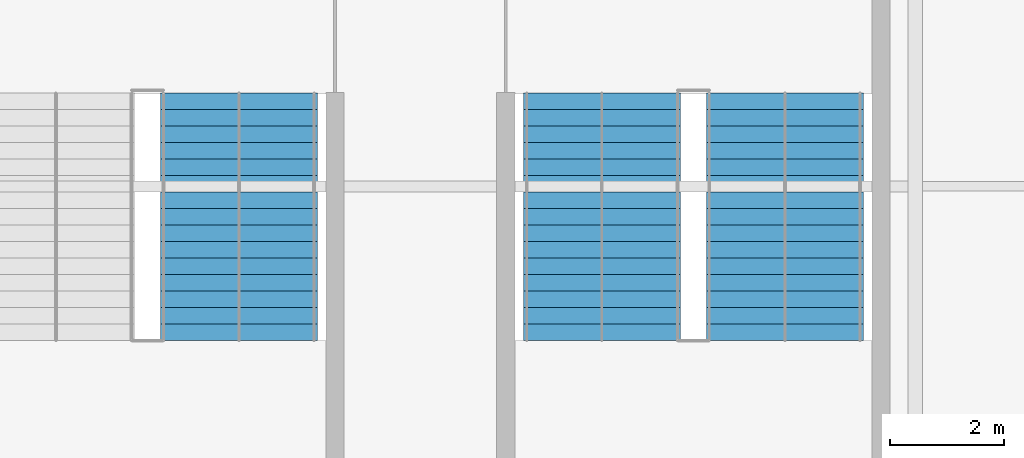
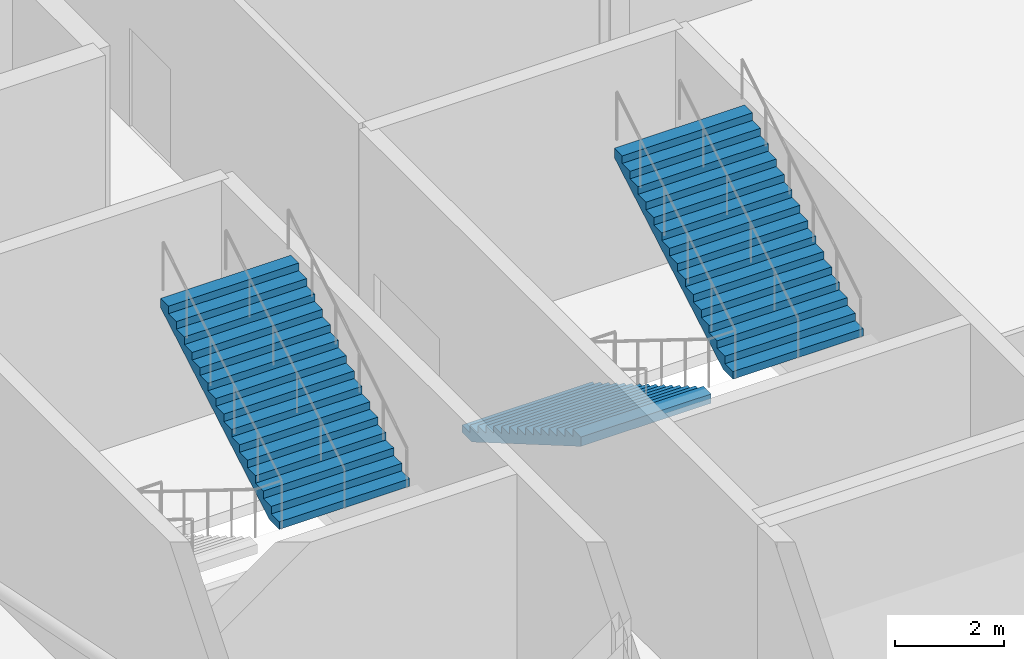
# One storey, part 86 of 111: 3 stair flights, 2 elements without a shape of their own.
"""IFC4 building model written with IfcOpenShell, lengths in metres."""

from ifc_helpers import new_model, si_unit, direction, frame, origin, place, context, subcontext, project, spatial, polygons, material, type_object, element, aggregate, save


model = new_model("IFC4")

# Units and contexts
model_context = context("Model", 3, precision=1e-05, world=origin(), true_north=direction((0.0, 1.0)))
body_context = subcontext(model_context, "Body", "Model", "MODEL_VIEW")
ifc_project = project(units=[si_unit("LENGTHUNIT", "METRE"), si_unit("AREAUNIT", "SQUARE_METRE"), si_unit("VOLUMEUNIT", "CUBIC_METRE"), si_unit("PLANEANGLEUNIT", "RADIAN"), si_unit("MASSUNIT", "GRAM", prefix="KILO")], contexts=[model_context])

# Site, building, storey
site_placement = place(None, origin())
site = spatial("IfcSite", under=ifc_project, at=site_placement, CompositionType="ELEMENT")
building_placement = place(site_placement, origin())
building = spatial("IfcBuilding", under=site, at=building_placement, Name="Kisiwana Market Hall", CompositionType="ELEMENT")
storey_placement = place(building_placement, frame((0.0, 0.0, 11.39990234375)))
storey = spatial("IfcBuildingStorey", under=building, at=storey_placement, Name="L02", CompositionType="ELEMENT", Elevation=11.39990234375)

# Stair, stair flight
ifc_material_1 = material(Name="Concrete C32/40", Category="concrete")
stair_type = type_object("IfcStairType", Name="ST-ESC-5400", PredefinedType="TWO_STRAIGHT_RUN_STAIR", material=ifc_material_1)
stair_1_placement = place(storey_placement, origin())
stair_1 = element("IfcStair", 1, at=stair_1_placement, inside=storey, type_object=stair_type, Name="Escape stair ST-W4-L02", PredefinedType="TWO_STRAIGHT_RUN_STAIR")
ifc_material_2 = material(Name="Concrete C32/40", Category="concrete")
stair_flight_type = type_object("IfcStairFlightType", Name="SF-ESC-5400", PredefinedType="STRAIGHT", material=ifc_material_2)
stair_flight_1_placement = place(storey_placement, frame((15.110107421875, 73.2900390625, 2.7001953125), z_axis=(0.0, 0.0, 1.0), x_axis=(0.0, 1.0, 0.0)))
stair_flight_1 = element("IfcStairFlight", 2, at=stair_flight_1_placement, type_object=stair_flight_type, Name="ST-W4-L02 flight 2", NumberOfRisers=16, NumberOfTreads=15, PredefinedType="STRAIGHT", RiserHeight=0.16875, TreadLength=0.29, context=body_context, shape_type="Tessellation", body=[
    polygons([(0.0, -1.380127, 0.0), (0.0, -0.690125, 0.0), (0.0, -0.000122, 0.0), (0.0, 0.68988, 0.0), (0.0, 1.379883, 0.0), (0.0, -1.380127, 0.168701), (0.0, -0.690125, 0.168701), (0.0, -0.000122, 0.168701), (0.0, 0.68988, 0.168701), (0.0, 1.379883, 0.168701), (0.290039, -1.380127, 0.168701), (0.290039, -0.690125, 0.168701), (0.290039, -0.000122, 0.168701), (0.290039, 0.68988, 0.168701), (0.290039, 1.379883, 0.168701), (0.290039, -1.380127, 0.337402), (0.290039, -0.690125, 0.337402), (0.290039, -0.000122, 0.337402), (0.290039, 0.68988, 0.337402), (0.290039, 1.379883, 0.337402), (0.580078, -1.380127, 0.337402), (0.580078, -0.690125, 0.337402), (0.580078, -0.000122, 0.337402), (0.580078, 0.68988, 0.337402), (0.580078, 1.379883, 0.337402), (0.580078, -1.380127, 0.506348), (0.580078, -0.690125, 0.506348), (0.580078, -0.000122, 0.506348), (0.580078, 0.68988, 0.506348), (0.580078, 1.379883, 0.506348), (0.870117, -1.380127, 0.506348), (0.870117, -0.690125, 0.506348), (0.870117, -0.000122, 0.506348), (0.870117, 0.68988, 0.506348), (0.870117, 1.379883, 0.506348), (0.870117, -1.380127, 0.675049), (0.870117, -0.690125, 0.675049), (0.870117, -0.000122, 0.675049), (0.870117, 0.68988, 0.675049), (0.870117, 1.379883, 0.675049), (1.159912, -1.380127, 0.675049), (1.159912, -0.690125, 0.675049), (1.159912, -0.000122, 0.675049), (1.159912, 0.68988, 0.675049), (1.159912, 1.379883, 0.675049), (1.159912, -1.380127, 0.84375), (1.159912, -0.690125, 0.84375), (1.159912, -0.000122, 0.84375), (1.159912, 0.68988, 0.84375), (1.159912, 1.379883, 0.84375), (1.449951, -1.380127, 0.84375), (1.449951, -0.690125, 0.84375), (1.449951, -0.000122, 0.84375), (1.449951, 0.68988, 0.84375), (1.449951, 1.379883, 0.84375), (1.449951, -1.380127, 1.012451), (1.449951, -0.690125, 1.012451), (1.449951, -0.000122, 1.012451), (1.449951, 0.68988, 1.012451), (1.449951, 1.379883, 1.012451), (1.73999, -1.380127, 1.012451), (1.73999, -0.690125, 1.012451), (1.73999, -0.000122, 1.012451), (1.73999, 0.68988, 1.012451), (1.73999, 1.379883, 1.012451), (1.73999, -1.380127, 1.181152), (1.73999, -0.690125, 1.181152), (1.73999, -0.000122, 1.181152), (1.73999, 0.68988, 1.181152), (1.73999, 1.379883, 1.181152), (2.030029, -1.380127, 1.181152), (2.030029, -0.690125, 1.181152), (2.030029, -0.000122, 1.181152), (2.030029, 0.68988, 1.181152), (2.030029, 1.379883, 1.181152), (2.030029, -1.380127, 1.350098), (2.030029, -0.690125, 1.350098), (2.030029, -0.000122, 1.350098), (2.030029, 0.68988, 1.350098), (2.030029, 1.379883, 1.350098), (2.320068, -1.380127, 1.350098), (2.320068, -0.690125, 1.350098), (2.320068, -0.000122, 1.350098), (2.320068, 0.68988, 1.350098), (2.320068, 1.379883, 1.350098), (2.320068, -1.380127, 1.518799), (2.320068, -0.690125, 1.518799), (2.320068, -0.000122, 1.518799), (2.320068, 0.68988, 1.518799), (2.320068, 1.379883, 1.518799), (2.610107, -1.380127, 1.518799), (2.610107, -0.690125, 1.518799), (2.610107, -0.000122, 1.518799), (2.610107, 0.68988, 1.518799), (2.610107, 1.379883, 1.518799), (2.610107, -1.380127, 1.6875), (2.610107, -0.690125, 1.6875), (2.610107, -0.000122, 1.6875), (2.610107, 0.68988, 1.6875), (2.610107, 1.379883, 1.6875), (2.899902, -1.380127, 1.6875), (2.899902, -0.690125, 1.6875), (2.899902, -0.000122, 1.6875), (2.899902, 0.68988, 1.6875), (2.899902, 1.379883, 1.6875), (2.899902, -1.380127, 1.856201), (2.899902, -0.690125, 1.856201), (2.899902, -0.000122, 1.856201), (2.899902, 0.68988, 1.856201), (2.899902, 1.379883, 1.856201), (3.189941, -1.380127, 1.856201), (3.189941, -0.690125, 1.856201), (3.189941, -0.000122, 1.856201), (3.189941, 0.68988, 1.856201), (3.189941, 1.379883, 1.856201), (3.189941, -1.380127, 2.024902), (3.189941, -0.690125, 2.024902), (3.189941, -0.000122, 2.024902), (3.189941, 0.68988, 2.024902), (3.189941, 1.379883, 2.024902), (3.47998, -1.380127, 2.024902), (3.47998, -0.690125, 2.024902), (3.47998, -0.000122, 2.024902), (3.47998, 0.68988, 2.024902), (3.47998, 1.379883, 2.024902), (3.47998, -1.380127, 2.193848), (3.47998, -0.690125, 2.193848), (3.47998, -0.000122, 2.193848), (3.47998, 0.68988, 2.193848), (3.47998, 1.379883, 2.193848), (3.77002, -1.380127, 2.193848), (3.77002, -0.690125, 2.193848), (3.77002, -0.000122, 2.193848), (3.77002, 0.68988, 2.193848), (3.77002, 1.379883, 2.193848), (3.77002, -1.380127, 2.362549), (3.77002, -0.690125, 2.362549), (3.77002, -0.000122, 2.362549), (3.77002, 0.68988, 2.362549), (3.77002, 1.379883, 2.362549), (4.060059, -1.380127, 2.362549), (4.060059, -0.690125, 2.362549), (4.060059, -0.000122, 2.362549), (4.060059, 0.68988, 2.362549), (4.060059, 1.379883, 2.362549), (4.060059, -1.380127, 2.53125), (4.060059, -0.690125, 2.53125), (4.060059, -0.000122, 2.53125), (4.060059, 0.68988, 2.53125), (4.060059, 1.379883, 2.53125), (4.350098, -1.380127, 2.53125), (4.350098, -0.690125, 2.53125), (4.350098, -0.000122, 2.53125), (4.350098, 0.68988, 2.53125), (4.350098, 1.379883, 2.53125), (4.350098, -1.380127, 2.322998), (4.350098, -0.690125, 2.322998), (4.350098, -0.000122, 2.322998), (4.350098, 0.68988, 2.322998), (4.350098, 1.379883, 2.322998), (0.357666, -1.380127, 0.0), (0.357666, -0.690125, 0.0), (0.357666, -0.000122, 0.0), (0.357666, 0.68988, 0.0), (0.357666, 1.379883, 0.0)], [[[1, 6, 7, 2]], [[2, 7, 8, 3]], [[3, 8, 9, 4]], [[4, 9, 10, 5]], [[6, 11, 12, 7]], [[7, 12, 13, 8]], [[8, 13, 14, 9]], [[9, 14, 15, 10]], [[11, 16, 17, 12]], [[12, 17, 18, 13]], [[13, 18, 19, 14]], [[14, 19, 20, 15]], [[16, 21, 22, 17]], [[17, 22, 23, 18]], [[18, 23, 24, 19]], [[19, 24, 25, 20]], [[21, 26, 27, 22]], [[22, 27, 28, 23]], [[23, 28, 29, 24]], [[24, 29, 30, 25]], [[26, 31, 32, 27]], [[27, 32, 33, 28]], [[28, 33, 34, 29]], [[29, 34, 35, 30]], [[31, 36, 37, 32]], [[32, 37, 38, 33]], [[33, 38, 39, 34]], [[34, 39, 40, 35]], [[36, 41, 42, 37]], [[37, 42, 43, 38]], [[38, 43, 44, 39]], [[39, 44, 45, 40]], [[41, 46, 47, 42]], [[42, 47, 48, 43]], [[43, 48, 49, 44]], [[44, 49, 50, 45]], [[46, 51, 52, 47]], [[47, 52, 53, 48]], [[48, 53, 54, 49]], [[49, 54, 55, 50]], [[51, 56, 57, 52]], [[52, 57, 58, 53]], [[53, 58, 59, 54]], [[54, 59, 60, 55]], [[56, 61, 62, 57]], [[57, 62, 63, 58]], [[58, 63, 64, 59]], [[59, 64, 65, 60]], [[61, 66, 67, 62]], [[62, 67, 68, 63]], [[63, 68, 69, 64]], [[64, 69, 70, 65]], [[66, 71, 72, 67]], [[67, 72, 73, 68]], [[68, 73, 74, 69]], [[69, 74, 75, 70]], [[71, 76, 77, 72]], [[72, 77, 78, 73]], [[73, 78, 79, 74]], [[74, 79, 80, 75]], [[76, 81, 82, 77]], [[77, 82, 83, 78]], [[78, 83, 84, 79]], [[79, 84, 85, 80]], [[81, 86, 87, 82]], [[82, 87, 88, 83]], [[83, 88, 89, 84]], [[84, 89, 90, 85]], [[86, 91, 92, 87]], [[87, 92, 93, 88]], [[88, 93, 94, 89]], [[89, 94, 95, 90]], [[91, 96, 97, 92]], [[92, 97, 98, 93]], [[93, 98, 99, 94]], [[94, 99, 100, 95]], [[96, 101, 102, 97]], [[97, 102, 103, 98]], [[98, 103, 104, 99]], [[99, 104, 105, 100]], [[101, 106, 107, 102]], [[102, 107, 108, 103]], [[103, 108, 109, 104]], [[104, 109, 110, 105]], [[106, 111, 112, 107]], [[107, 112, 113, 108]], [[108, 113, 114, 109]], [[109, 114, 115, 110]], [[111, 116, 117, 112]], [[112, 117, 118, 113]], [[113, 118, 119, 114]], [[114, 119, 120, 115]], [[116, 121, 122, 117]], [[117, 122, 123, 118]], [[118, 123, 124, 119]], [[119, 124, 125, 120]], [[121, 126, 127, 122]], [[122, 127, 128, 123]], [[123, 128, 129, 124]], [[124, 129, 130, 125]], [[126, 131, 132, 127]], [[127, 132, 133, 128]], [[128, 133, 134, 129]], [[129, 134, 135, 130]], [[131, 136, 137, 132]], [[132, 137, 138, 133]], [[133, 138, 139, 134]], [[134, 139, 140, 135]], [[136, 141, 142, 137]], [[137, 142, 143, 138]], [[138, 143, 144, 139]], [[139, 144, 145, 140]], [[141, 146, 147, 142]], [[142, 147, 148, 143]], [[143, 148, 149, 144]], [[144, 149, 150, 145]], [[146, 151, 152, 147]], [[147, 152, 153, 148]], [[148, 153, 154, 149]], [[149, 154, 155, 150]], [[151, 156, 157, 152]], [[152, 157, 158, 153]], [[153, 158, 159, 154]], [[154, 159, 160, 155]], [[156, 161, 162, 157]], [[157, 162, 163, 158]], [[158, 163, 164, 159]], [[159, 164, 165, 160]], [[161, 1, 2, 162]], [[162, 2, 3, 163]], [[163, 3, 4, 164]], [[164, 4, 5, 165]], [[161, 156, 151, 146, 141, 136, 131, 126, 121, 116, 111, 106, 101, 96, 91, 86, 81, 76, 71, 66, 61, 56, 51, 46, 41, 36, 31, 26, 21, 16, 11, 6, 1]], [[5, 10, 15, 20, 25, 30, 35, 40, 45, 50, 55, 60, 65, 70, 75, 80, 85, 90, 95, 100, 105, 110, 115, 120, 125, 130, 135, 140, 145, 150, 155, 160, 165]]], closed=True),
])
aggregate(stair_1, [stair_flight_1])

# Stair, stair flights
stair_2_placement = place(storey_placement, origin())
stair_2 = element("IfcStair", 3, at=stair_2_placement, inside=storey, type_object=stair_type, Name="Escape stair ST-W8-L02", PredefinedType="TWO_STRAIGHT_RUN_STAIR")
stair_flight_2_placement = place(storey_placement, frame((21.489990234375, 77.639892578125, 0.0), z_axis=(0.0, 0.0, 1.0), x_axis=(0.0, -1.0, 0.0)))
stair_flight_2 = element("IfcStairFlight", 4, at=stair_flight_2_placement, type_object=stair_flight_type, Name="ST-W8-L02 flight 1", NumberOfRisers=16, NumberOfTreads=15, PredefinedType="STRAIGHT", RiserHeight=0.16875, TreadLength=0.29, context=body_context, shape_type="Tessellation", body=[
    polygons([(0.0, -1.380127, 0.0), (0.0, -0.690125, 0.0), (0.0, -0.000122, 0.0), (0.0, 0.68988, 0.0), (0.0, 1.379883, 0.0), (0.0, -1.380127, 0.168701), (0.0, -0.690125, 0.168701), (0.0, -0.000122, 0.168701), (0.0, 0.68988, 0.168701), (0.0, 1.379883, 0.168701), (0.290039, -1.380127, 0.168701), (0.290039, -0.690125, 0.168701), (0.290039, -0.000122, 0.168701), (0.290039, 0.68988, 0.168701), (0.290039, 1.379883, 0.168701), (0.290039, -1.380127, 0.337402), (0.290039, -0.690125, 0.337402), (0.290039, -0.000122, 0.337402), (0.290039, 0.68988, 0.337402), (0.290039, 1.379883, 0.337402), (0.580078, -1.380127, 0.337402), (0.580078, -0.690125, 0.337402), (0.580078, -0.000122, 0.337402), (0.580078, 0.68988, 0.337402), (0.580078, 1.379883, 0.337402), (0.580078, -1.380127, 0.506348), (0.580078, -0.690125, 0.506348), (0.580078, -0.000122, 0.506348), (0.580078, 0.68988, 0.506348), (0.580078, 1.379883, 0.506348), (0.870117, -1.380127, 0.506348), (0.870117, -0.690125, 0.506348), (0.870117, -0.000122, 0.506348), (0.870117, 0.68988, 0.506348), (0.870117, 1.379883, 0.506348), (0.870117, -1.380127, 0.675049), (0.870117, -0.690125, 0.675049), (0.870117, -0.000122, 0.675049), (0.870117, 0.68988, 0.675049), (0.870117, 1.379883, 0.675049), (1.159912, -1.380127, 0.675049), (1.159912, -0.690125, 0.675049), (1.159912, -0.000122, 0.675049), (1.159912, 0.68988, 0.675049), (1.159912, 1.379883, 0.675049), (1.159912, -1.380127, 0.84375), (1.159912, -0.690125, 0.84375), (1.159912, -0.000122, 0.84375), (1.159912, 0.68988, 0.84375), (1.159912, 1.379883, 0.84375), (1.449951, -1.380127, 0.84375), (1.449951, -0.690125, 0.84375), (1.449951, -0.000122, 0.84375), (1.449951, 0.68988, 0.84375), (1.449951, 1.379883, 0.84375), (1.449951, -1.380127, 1.012451), (1.449951, -0.690125, 1.012451), (1.449951, -0.000122, 1.012451), (1.449951, 0.68988, 1.012451), (1.449951, 1.379883, 1.012451), (1.73999, -1.380127, 1.012451), (1.73999, -0.690125, 1.012451), (1.73999, -0.000122, 1.012451), (1.73999, 0.68988, 1.012451), (1.73999, 1.379883, 1.012451), (1.73999, -1.380127, 1.181152), (1.73999, -0.690125, 1.181152), (1.73999, -0.000122, 1.181152), (1.73999, 0.68988, 1.181152), (1.73999, 1.379883, 1.181152), (2.030029, -1.380127, 1.181152), (2.030029, -0.690125, 1.181152), (2.030029, -0.000122, 1.181152), (2.030029, 0.68988, 1.181152), (2.030029, 1.379883, 1.181152), (2.030029, -1.380127, 1.350098), (2.030029, -0.690125, 1.350098), (2.030029, -0.000122, 1.350098), (2.030029, 0.68988, 1.350098), (2.030029, 1.379883, 1.350098), (2.320068, -1.380127, 1.350098), (2.320068, -0.690125, 1.350098), (2.320068, -0.000122, 1.350098), (2.320068, 0.68988, 1.350098), (2.320068, 1.379883, 1.350098), (2.320068, -1.380127, 1.518799), (2.320068, -0.690125, 1.518799), (2.320068, -0.000122, 1.518799), (2.320068, 0.68988, 1.518799), (2.320068, 1.379883, 1.518799), (2.610107, -1.380127, 1.518799), (2.610107, -0.690125, 1.518799), (2.610107, -0.000122, 1.518799), (2.610107, 0.68988, 1.518799), (2.610107, 1.379883, 1.518799), (2.610107, -1.380127, 1.6875), (2.610107, -0.690125, 1.6875), (2.610107, -0.000122, 1.6875), (2.610107, 0.68988, 1.6875), (2.610107, 1.379883, 1.6875), (2.899902, -1.380127, 1.6875), (2.899902, -0.690125, 1.6875), (2.899902, -0.000122, 1.6875), (2.899902, 0.68988, 1.6875), (2.899902, 1.379883, 1.6875), (2.899902, -1.380127, 1.856201), (2.899902, -0.690125, 1.856201), (2.899902, -0.000122, 1.856201), (2.899902, 0.68988, 1.856201), (2.899902, 1.379883, 1.856201), (3.189941, -1.380127, 1.856201), (3.189941, -0.690125, 1.856201), (3.189941, -0.000122, 1.856201), (3.189941, 0.68988, 1.856201), (3.189941, 1.379883, 1.856201), (3.189941, -1.380127, 2.024902), (3.189941, -0.690125, 2.024902), (3.189941, -0.000122, 2.024902), (3.189941, 0.68988, 2.024902), (3.189941, 1.379883, 2.024902), (3.47998, -1.380127, 2.024902), (3.47998, -0.690125, 2.024902), (3.47998, -0.000122, 2.024902), (3.47998, 0.68988, 2.024902), (3.47998, 1.379883, 2.024902), (3.47998, -1.380127, 2.193848), (3.47998, -0.690125, 2.193848), (3.47998, -0.000122, 2.193848), (3.47998, 0.68988, 2.193848), (3.47998, 1.379883, 2.193848), (3.77002, -1.380127, 2.193848), (3.77002, -0.690125, 2.193848), (3.77002, -0.000122, 2.193848), (3.77002, 0.68988, 2.193848), (3.77002, 1.379883, 2.193848), (3.77002, -1.380127, 2.362549), (3.77002, -0.690125, 2.362549), (3.77002, -0.000122, 2.362549), (3.77002, 0.68988, 2.362549), (3.77002, 1.379883, 2.362549), (4.060059, -1.380127, 2.362549), (4.060059, -0.690125, 2.362549), (4.060059, -0.000122, 2.362549), (4.060059, 0.68988, 2.362549), (4.060059, 1.379883, 2.362549), (4.060059, -1.380127, 2.53125), (4.060059, -0.690125, 2.53125), (4.060059, -0.000122, 2.53125), (4.060059, 0.68988, 2.53125), (4.060059, 1.379883, 2.53125), (4.350098, -1.380127, 2.53125), (4.350098, -0.690125, 2.53125), (4.350098, -0.000122, 2.53125), (4.350098, 0.68988, 2.53125), (4.350098, 1.379883, 2.53125), (4.350098, -1.380127, 2.322998), (4.350098, -0.690125, 2.322998), (4.350098, -0.000122, 2.322998), (4.350098, 0.68988, 2.322998), (4.350098, 1.379883, 2.322998), (0.357666, -1.380127, 0.0), (0.357666, -0.690125, 0.0), (0.357666, -0.000122, 0.0), (0.357666, 0.68988, 0.0), (0.357666, 1.379883, 0.0)], [[[1, 6, 7, 2]], [[2, 7, 8, 3]], [[3, 8, 9, 4]], [[4, 9, 10, 5]], [[6, 11, 12, 7]], [[7, 12, 13, 8]], [[8, 13, 14, 9]], [[9, 14, 15, 10]], [[11, 16, 17, 12]], [[12, 17, 18, 13]], [[13, 18, 19, 14]], [[14, 19, 20, 15]], [[16, 21, 22, 17]], [[17, 22, 23, 18]], [[18, 23, 24, 19]], [[19, 24, 25, 20]], [[21, 26, 27, 22]], [[22, 27, 28, 23]], [[23, 28, 29, 24]], [[24, 29, 30, 25]], [[26, 31, 32, 27]], [[27, 32, 33, 28]], [[28, 33, 34, 29]], [[29, 34, 35, 30]], [[31, 36, 37, 32]], [[32, 37, 38, 33]], [[33, 38, 39, 34]], [[34, 39, 40, 35]], [[36, 41, 42, 37]], [[37, 42, 43, 38]], [[38, 43, 44, 39]], [[39, 44, 45, 40]], [[41, 46, 47, 42]], [[42, 47, 48, 43]], [[43, 48, 49, 44]], [[44, 49, 50, 45]], [[46, 51, 52, 47]], [[47, 52, 53, 48]], [[48, 53, 54, 49]], [[49, 54, 55, 50]], [[51, 56, 57, 52]], [[52, 57, 58, 53]], [[53, 58, 59, 54]], [[54, 59, 60, 55]], [[56, 61, 62, 57]], [[57, 62, 63, 58]], [[58, 63, 64, 59]], [[59, 64, 65, 60]], [[61, 66, 67, 62]], [[62, 67, 68, 63]], [[63, 68, 69, 64]], [[64, 69, 70, 65]], [[66, 71, 72, 67]], [[67, 72, 73, 68]], [[68, 73, 74, 69]], [[69, 74, 75, 70]], [[71, 76, 77, 72]], [[72, 77, 78, 73]], [[73, 78, 79, 74]], [[74, 79, 80, 75]], [[76, 81, 82, 77]], [[77, 82, 83, 78]], [[78, 83, 84, 79]], [[79, 84, 85, 80]], [[81, 86, 87, 82]], [[82, 87, 88, 83]], [[83, 88, 89, 84]], [[84, 89, 90, 85]], [[86, 91, 92, 87]], [[87, 92, 93, 88]], [[88, 93, 94, 89]], [[89, 94, 95, 90]], [[91, 96, 97, 92]], [[92, 97, 98, 93]], [[93, 98, 99, 94]], [[94, 99, 100, 95]], [[96, 101, 102, 97]], [[97, 102, 103, 98]], [[98, 103, 104, 99]], [[99, 104, 105, 100]], [[101, 106, 107, 102]], [[102, 107, 108, 103]], [[103, 108, 109, 104]], [[104, 109, 110, 105]], [[106, 111, 112, 107]], [[107, 112, 113, 108]], [[108, 113, 114, 109]], [[109, 114, 115, 110]], [[111, 116, 117, 112]], [[112, 117, 118, 113]], [[113, 118, 119, 114]], [[114, 119, 120, 115]], [[116, 121, 122, 117]], [[117, 122, 123, 118]], [[118, 123, 124, 119]], [[119, 124, 125, 120]], [[121, 126, 127, 122]], [[122, 127, 128, 123]], [[123, 128, 129, 124]], [[124, 129, 130, 125]], [[126, 131, 132, 127]], [[127, 132, 133, 128]], [[128, 133, 134, 129]], [[129, 134, 135, 130]], [[131, 136, 137, 132]], [[132, 137, 138, 133]], [[133, 138, 139, 134]], [[134, 139, 140, 135]], [[136, 141, 142, 137]], [[137, 142, 143, 138]], [[138, 143, 144, 139]], [[139, 144, 145, 140]], [[141, 146, 147, 142]], [[142, 147, 148, 143]], [[143, 148, 149, 144]], [[144, 149, 150, 145]], [[146, 151, 152, 147]], [[147, 152, 153, 148]], [[148, 153, 154, 149]], [[149, 154, 155, 150]], [[151, 156, 157, 152]], [[152, 157, 158, 153]], [[153, 158, 159, 154]], [[154, 159, 160, 155]], [[156, 161, 162, 157]], [[157, 162, 163, 158]], [[158, 163, 164, 159]], [[159, 164, 165, 160]], [[161, 1, 2, 162]], [[162, 2, 3, 163]], [[163, 3, 4, 164]], [[164, 4, 5, 165]], [[161, 156, 151, 146, 141, 136, 131, 126, 121, 116, 111, 106, 101, 96, 91, 86, 81, 76, 71, 66, 61, 56, 51, 46, 41, 36, 31, 26, 21, 16, 11, 6, 1]], [[5, 10, 15, 20, 25, 30, 35, 40, 45, 50, 55, 60, 65, 70, 75, 80, 85, 90, 95, 100, 105, 110, 115, 120, 125, 130, 135, 140, 145, 150, 155, 160, 165]]], closed=True),
])
stair_flight_3_placement = place(storey_placement, frame((24.7099609375, 73.2900390625, 2.7001953125), z_axis=(0.0, 0.0, 1.0), x_axis=(0.0, 1.0, 0.0)))
stair_flight_3 = element("IfcStairFlight", 5, at=stair_flight_3_placement, type_object=stair_flight_type, Name="ST-W8-L02 flight 2", NumberOfRisers=16, NumberOfTreads=15, PredefinedType="STRAIGHT", RiserHeight=0.16875, TreadLength=0.29, context=body_context, shape_type="Tessellation", body=[
    polygons([(0.0, -1.380127, 0.0), (0.0, -0.690125, 0.0), (0.0, -0.000122, 0.0), (0.0, 0.68988, 0.0), (0.0, 1.379883, 0.0), (0.0, -1.380127, 0.168701), (0.0, -0.690125, 0.168701), (0.0, -0.000122, 0.168701), (0.0, 0.68988, 0.168701), (0.0, 1.379883, 0.168701), (0.290039, -1.380127, 0.168701), (0.290039, -0.690125, 0.168701), (0.290039, -0.000122, 0.168701), (0.290039, 0.68988, 0.168701), (0.290039, 1.379883, 0.168701), (0.290039, -1.380127, 0.337402), (0.290039, -0.690125, 0.337402), (0.290039, -0.000122, 0.337402), (0.290039, 0.68988, 0.337402), (0.290039, 1.379883, 0.337402), (0.580078, -1.380127, 0.337402), (0.580078, -0.690125, 0.337402), (0.580078, -0.000122, 0.337402), (0.580078, 0.68988, 0.337402), (0.580078, 1.379883, 0.337402), (0.580078, -1.380127, 0.506348), (0.580078, -0.690125, 0.506348), (0.580078, -0.000122, 0.506348), (0.580078, 0.68988, 0.506348), (0.580078, 1.379883, 0.506348), (0.870117, -1.380127, 0.506348), (0.870117, -0.690125, 0.506348), (0.870117, -0.000122, 0.506348), (0.870117, 0.68988, 0.506348), (0.870117, 1.379883, 0.506348), (0.870117, -1.380127, 0.675049), (0.870117, -0.690125, 0.675049), (0.870117, -0.000122, 0.675049), (0.870117, 0.68988, 0.675049), (0.870117, 1.379883, 0.675049), (1.159912, -1.380127, 0.675049), (1.159912, -0.690125, 0.675049), (1.159912, -0.000122, 0.675049), (1.159912, 0.68988, 0.675049), (1.159912, 1.379883, 0.675049), (1.159912, -1.380127, 0.84375), (1.159912, -0.690125, 0.84375), (1.159912, -0.000122, 0.84375), (1.159912, 0.68988, 0.84375), (1.159912, 1.379883, 0.84375), (1.449951, -1.380127, 0.84375), (1.449951, -0.690125, 0.84375), (1.449951, -0.000122, 0.84375), (1.449951, 0.68988, 0.84375), (1.449951, 1.379883, 0.84375), (1.449951, -1.380127, 1.012451), (1.449951, -0.690125, 1.012451), (1.449951, -0.000122, 1.012451), (1.449951, 0.68988, 1.012451), (1.449951, 1.379883, 1.012451), (1.73999, -1.380127, 1.012451), (1.73999, -0.690125, 1.012451), (1.73999, -0.000122, 1.012451), (1.73999, 0.68988, 1.012451), (1.73999, 1.379883, 1.012451), (1.73999, -1.380127, 1.181152), (1.73999, -0.690125, 1.181152), (1.73999, -0.000122, 1.181152), (1.73999, 0.68988, 1.181152), (1.73999, 1.379883, 1.181152), (2.030029, -1.380127, 1.181152), (2.030029, -0.690125, 1.181152), (2.030029, -0.000122, 1.181152), (2.030029, 0.68988, 1.181152), (2.030029, 1.379883, 1.181152), (2.030029, -1.380127, 1.350098), (2.030029, -0.690125, 1.350098), (2.030029, -0.000122, 1.350098), (2.030029, 0.68988, 1.350098), (2.030029, 1.379883, 1.350098), (2.320068, -1.380127, 1.350098), (2.320068, -0.690125, 1.350098), (2.320068, -0.000122, 1.350098), (2.320068, 0.68988, 1.350098), (2.320068, 1.379883, 1.350098), (2.320068, -1.380127, 1.518799), (2.320068, -0.690125, 1.518799), (2.320068, -0.000122, 1.518799), (2.320068, 0.68988, 1.518799), (2.320068, 1.379883, 1.518799), (2.610107, -1.380127, 1.518799), (2.610107, -0.690125, 1.518799), (2.610107, -0.000122, 1.518799), (2.610107, 0.68988, 1.518799), (2.610107, 1.379883, 1.518799), (2.610107, -1.380127, 1.6875), (2.610107, -0.690125, 1.6875), (2.610107, -0.000122, 1.6875), (2.610107, 0.68988, 1.6875), (2.610107, 1.379883, 1.6875), (2.899902, -1.380127, 1.6875), (2.899902, -0.690125, 1.6875), (2.899902, -0.000122, 1.6875), (2.899902, 0.68988, 1.6875), (2.899902, 1.379883, 1.6875), (2.899902, -1.380127, 1.856201), (2.899902, -0.690125, 1.856201), (2.899902, -0.000122, 1.856201), (2.899902, 0.68988, 1.856201), (2.899902, 1.379883, 1.856201), (3.189941, -1.380127, 1.856201), (3.189941, -0.690125, 1.856201), (3.189941, -0.000122, 1.856201), (3.189941, 0.68988, 1.856201), (3.189941, 1.379883, 1.856201), (3.189941, -1.380127, 2.024902), (3.189941, -0.690125, 2.024902), (3.189941, -0.000122, 2.024902), (3.189941, 0.68988, 2.024902), (3.189941, 1.379883, 2.024902), (3.47998, -1.380127, 2.024902), (3.47998, -0.690125, 2.024902), (3.47998, -0.000122, 2.024902), (3.47998, 0.68988, 2.024902), (3.47998, 1.379883, 2.024902), (3.47998, -1.380127, 2.193848), (3.47998, -0.690125, 2.193848), (3.47998, -0.000122, 2.193848), (3.47998, 0.68988, 2.193848), (3.47998, 1.379883, 2.193848), (3.77002, -1.380127, 2.193848), (3.77002, -0.690125, 2.193848), (3.77002, -0.000122, 2.193848), (3.77002, 0.68988, 2.193848), (3.77002, 1.379883, 2.193848), (3.77002, -1.380127, 2.362549), (3.77002, -0.690125, 2.362549), (3.77002, -0.000122, 2.362549), (3.77002, 0.68988, 2.362549), (3.77002, 1.379883, 2.362549), (4.060059, -1.380127, 2.362549), (4.060059, -0.690125, 2.362549), (4.060059, -0.000122, 2.362549), (4.060059, 0.68988, 2.362549), (4.060059, 1.379883, 2.362549), (4.060059, -1.380127, 2.53125), (4.060059, -0.690125, 2.53125), (4.060059, -0.000122, 2.53125), (4.060059, 0.68988, 2.53125), (4.060059, 1.379883, 2.53125), (4.350098, -1.380127, 2.53125), (4.350098, -0.690125, 2.53125), (4.350098, -0.000122, 2.53125), (4.350098, 0.68988, 2.53125), (4.350098, 1.379883, 2.53125), (4.350098, -1.380127, 2.322998), (4.350098, -0.690125, 2.322998), (4.350098, -0.000122, 2.322998), (4.350098, 0.68988, 2.322998), (4.350098, 1.379883, 2.322998), (0.357666, -1.380127, 0.0), (0.357666, -0.690125, 0.0), (0.357666, -0.000122, 0.0), (0.357666, 0.68988, 0.0), (0.357666, 1.379883, 0.0)], [[[1, 6, 7, 2]], [[2, 7, 8, 3]], [[3, 8, 9, 4]], [[4, 9, 10, 5]], [[6, 11, 12, 7]], [[7, 12, 13, 8]], [[8, 13, 14, 9]], [[9, 14, 15, 10]], [[11, 16, 17, 12]], [[12, 17, 18, 13]], [[13, 18, 19, 14]], [[14, 19, 20, 15]], [[16, 21, 22, 17]], [[17, 22, 23, 18]], [[18, 23, 24, 19]], [[19, 24, 25, 20]], [[21, 26, 27, 22]], [[22, 27, 28, 23]], [[23, 28, 29, 24]], [[24, 29, 30, 25]], [[26, 31, 32, 27]], [[27, 32, 33, 28]], [[28, 33, 34, 29]], [[29, 34, 35, 30]], [[31, 36, 37, 32]], [[32, 37, 38, 33]], [[33, 38, 39, 34]], [[34, 39, 40, 35]], [[36, 41, 42, 37]], [[37, 42, 43, 38]], [[38, 43, 44, 39]], [[39, 44, 45, 40]], [[41, 46, 47, 42]], [[42, 47, 48, 43]], [[43, 48, 49, 44]], [[44, 49, 50, 45]], [[46, 51, 52, 47]], [[47, 52, 53, 48]], [[48, 53, 54, 49]], [[49, 54, 55, 50]], [[51, 56, 57, 52]], [[52, 57, 58, 53]], [[53, 58, 59, 54]], [[54, 59, 60, 55]], [[56, 61, 62, 57]], [[57, 62, 63, 58]], [[58, 63, 64, 59]], [[59, 64, 65, 60]], [[61, 66, 67, 62]], [[62, 67, 68, 63]], [[63, 68, 69, 64]], [[64, 69, 70, 65]], [[66, 71, 72, 67]], [[67, 72, 73, 68]], [[68, 73, 74, 69]], [[69, 74, 75, 70]], [[71, 76, 77, 72]], [[72, 77, 78, 73]], [[73, 78, 79, 74]], [[74, 79, 80, 75]], [[76, 81, 82, 77]], [[77, 82, 83, 78]], [[78, 83, 84, 79]], [[79, 84, 85, 80]], [[81, 86, 87, 82]], [[82, 87, 88, 83]], [[83, 88, 89, 84]], [[84, 89, 90, 85]], [[86, 91, 92, 87]], [[87, 92, 93, 88]], [[88, 93, 94, 89]], [[89, 94, 95, 90]], [[91, 96, 97, 92]], [[92, 97, 98, 93]], [[93, 98, 99, 94]], [[94, 99, 100, 95]], [[96, 101, 102, 97]], [[97, 102, 103, 98]], [[98, 103, 104, 99]], [[99, 104, 105, 100]], [[101, 106, 107, 102]], [[102, 107, 108, 103]], [[103, 108, 109, 104]], [[104, 109, 110, 105]], [[106, 111, 112, 107]], [[107, 112, 113, 108]], [[108, 113, 114, 109]], [[109, 114, 115, 110]], [[111, 116, 117, 112]], [[112, 117, 118, 113]], [[113, 118, 119, 114]], [[114, 119, 120, 115]], [[116, 121, 122, 117]], [[117, 122, 123, 118]], [[118, 123, 124, 119]], [[119, 124, 125, 120]], [[121, 126, 127, 122]], [[122, 127, 128, 123]], [[123, 128, 129, 124]], [[124, 129, 130, 125]], [[126, 131, 132, 127]], [[127, 132, 133, 128]], [[128, 133, 134, 129]], [[129, 134, 135, 130]], [[131, 136, 137, 132]], [[132, 137, 138, 133]], [[133, 138, 139, 134]], [[134, 139, 140, 135]], [[136, 141, 142, 137]], [[137, 142, 143, 138]], [[138, 143, 144, 139]], [[139, 144, 145, 140]], [[141, 146, 147, 142]], [[142, 147, 148, 143]], [[143, 148, 149, 144]], [[144, 149, 150, 145]], [[146, 151, 152, 147]], [[147, 152, 153, 148]], [[148, 153, 154, 149]], [[149, 154, 155, 150]], [[151, 156, 157, 152]], [[152, 157, 158, 153]], [[153, 158, 159, 154]], [[154, 159, 160, 155]], [[156, 161, 162, 157]], [[157, 162, 163, 158]], [[158, 163, 164, 159]], [[159, 164, 165, 160]], [[161, 1, 2, 162]], [[162, 2, 3, 163]], [[163, 3, 4, 164]], [[164, 4, 5, 165]], [[161, 156, 151, 146, 141, 136, 131, 126, 121, 116, 111, 106, 101, 96, 91, 86, 81, 76, 71, 66, 61, 56, 51, 46, 41, 36, 31, 26, 21, 16, 11, 6, 1]], [[5, 10, 15, 20, 25, 30, 35, 40, 45, 50, 55, 60, 65, 70, 75, 80, 85, 90, 95, 100, 105, 110, 115, 120, 125, 130, 135, 140, 145, 150, 155, 160, 165]]], closed=True),
])
aggregate(stair_2, [stair_flight_2, stair_flight_3])

save(model, "model.ifc")
